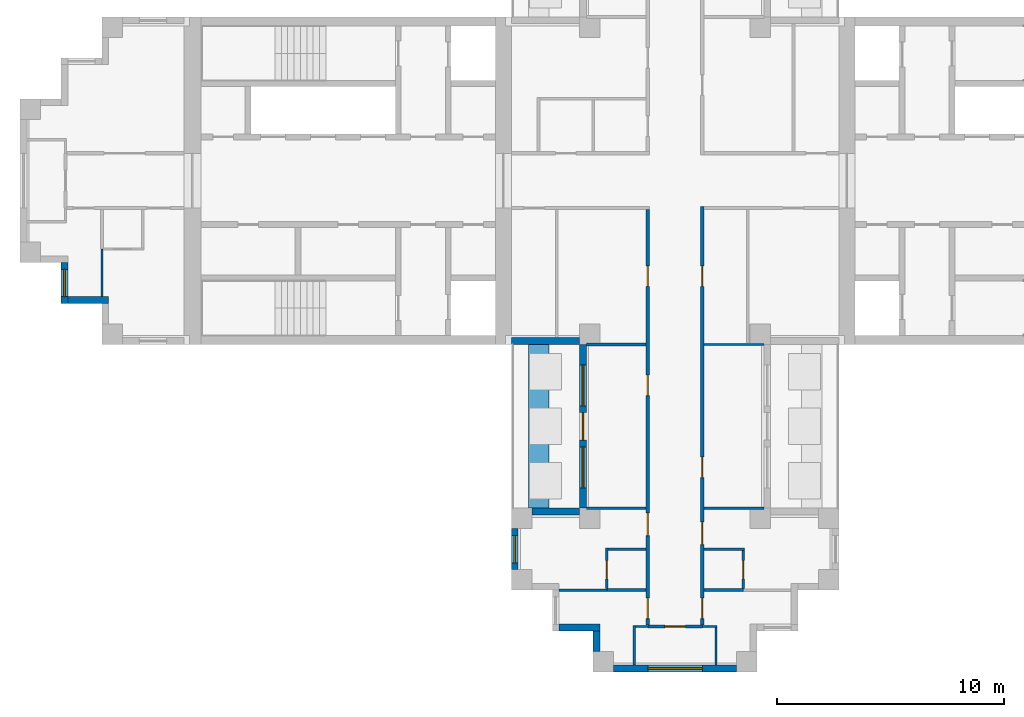
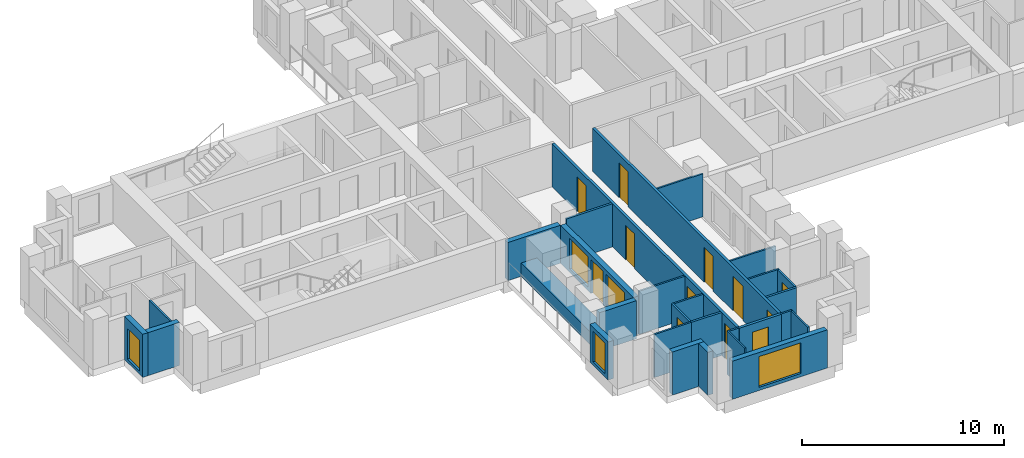
# One storey, part 2 of 10: 29 walls, 12 doors, 5 windows, 17 openings.
"""IFC4 building model written with IfcOpenShell, lengths in metres."""

from ifc_helpers import new_model, si_unit, direction, frame, frame_2d, origin, place, context, subcontext, project, spatial, rectangle, extrude, material, layer, layer_set, type_object, element, fill, save


model = new_model("IFC4")

# Units and contexts
model_context = context("Model", 3, precision=1e-05, world=origin(), true_north=direction((0.0, 1.0)))
body_context = subcontext(model_context, "Body", "Model", "MODEL_VIEW")
ifc_project = project(units=[si_unit("LENGTHUNIT", "METRE"), si_unit("AREAUNIT", "SQUARE_METRE"), si_unit("VOLUMEUNIT", "CUBIC_METRE"), si_unit("PLANEANGLEUNIT", "RADIAN"), si_unit("MASSUNIT", "GRAM", prefix="KILO")], contexts=[model_context])

# Site, building, storey
site_placement = place(None, origin())
site = spatial("IfcSite", under=ifc_project, at=site_placement, CompositionType="ELEMENT")
building_placement = place(site_placement, origin())
building = spatial("IfcBuilding", under=site, at=building_placement, Name="Fustian Cross Tower", CompositionType="ELEMENT")
storey_placement = place(building_placement, frame((0.0, 0.0, 225.89990234375)))
storey = spatial("IfcBuildingStorey", under=building, at=storey_placement, Name="L71", CompositionType="ELEMENT", Elevation=225.89990234375)

# Wall, openings, doors
ifc_material_1 = material(Name="Plasterboard on steel stud", Category="steel")
ifc_layer_1 = layer(ifc_material_1, 0.14990234375)
ifc_layer_set_1 = layer_set([ifc_layer_1], Name="Plasterboard on steel stud")
wall_type_1 = type_object("IfcWallType", Name="COMPARTMENT WALL 150 EI 60", PredefinedType="PARTITIONING", material=ifc_layer_set_1)
wall_1_placement = place(storey_placement, frame((-1.199951171875, -19.52490234375, 0.0), z_axis=(0.0, 0.0, 1.0), x_axis=(0.0, 1.0, 0.0)))
wall_1 = element("IfcWall", 1, at=wall_1_placement, inside=storey, type_object=wall_type_1, Name="Partition 35", PredefinedType="PARTITIONING", context=body_context, shape_type="SweptSolid", body=[
    extrude(rectangle(XDim=18.25, YDim=0.14990234375, at=frame_2d((9.125, 0.0))), origin(), (0.0, 0.0, 1.0), 2.60009765625),
])
opening_1_placement = place(wall_1_placement, frame((14.875, 0.0, 0.0)))
opening_1 = element("IfcOpeningElement", 2, at=opening_1_placement, cuts=wall_1, Name="Opening D32008", PredefinedType="OPENING", context=body_context, shape_type="SweptSolid", body=[
    extrude(rectangle(XDim=0.89990234375, YDim=2.10009765625, at=frame_2d((0.449951171875, 1.050048828125))), frame((0.0, 0.0849609375, 0.0), z_axis=(0.0, -1.0, 0.0), x_axis=(1.0, 0.0, 0.0)), (0.0, 0.0, 1.0), 0.169921875),
])
opening_2_placement = place(wall_1_placement, frame((10.074951171875, 0.0, 0.0)))
opening_2 = element("IfcOpeningElement", 3, at=opening_2_placement, cuts=wall_1, Name="Opening D32034", PredefinedType="OPENING", context=body_context, shape_type="SweptSolid", body=[
    extrude(rectangle(XDim=0.89990234375, YDim=2.10009765625, at=frame_2d((0.449951171875, 1.050048828125))), frame((0.0, 0.0849609375, 0.0), z_axis=(0.0, -1.0, 0.0), x_axis=(1.0, 0.0, 0.0)), (0.0, 0.0, 1.0), 0.169921875),
])
opening_3_placement = place(wall_1_placement, frame((3.925048828125, 0.0, 0.0)))
opening_3 = element("IfcOpeningElement", 4, at=opening_3_placement, cuts=wall_1, Name="Opening D32036", PredefinedType="OPENING", context=body_context, shape_type="SweptSolid", body=[
    extrude(rectangle(XDim=1.0, YDim=2.10009765625, at=frame_2d((0.5, 1.050048828125))), frame((0.0, 0.0849609375, 0.0), z_axis=(0.0, -1.0, 0.0), x_axis=(1.0, 0.0, 0.0)), (0.0, 0.0, 1.0), 0.169921875),
])
opening_4_placement = place(wall_1_placement, frame((0.27490234375, 0.0, 0.0)))
opening_4 = element("IfcOpeningElement", 5, at=opening_4_placement, cuts=wall_1, Name="Opening D32037", PredefinedType="OPENING", context=body_context, shape_type="SweptSolid", body=[
    extrude(rectangle(XDim=0.89990234375, YDim=2.10009765625, at=frame_2d((0.449951171875, 1.050048828125))), frame((0.0, 0.0849609375, 0.0), z_axis=(0.0, -1.0, 0.0), x_axis=(1.0, 0.0, 0.0)), (0.0, 0.0, 1.0), 0.169921875),
])
ifc_material_2 = material(Name="Timber fire door set", Category="wood")
door_type_1 = type_object("IfcDoorType", Name="FIRE SWING DOOR 1000 FD30S", OperationType="SINGLE_SWING_LEFT", PredefinedType="DOOR", material=ifc_material_2)
door_1_placement = place(opening_3_placement, origin())
door_1 = element("IfcDoor", 6, at=door_1_placement, inside=storey, type_object=door_type_1, Name="Door D32036", OperationType="SINGLE_SWING_RIGHT", OverallHeight=2.10009765625, OverallWidth=1.0, PredefinedType="DOOR", context=body_context, shape_type="SweptSolid", body=[
    extrude(rectangle(XDim=1.0, YDim=2.10009765625, at=frame_2d((0.5, 1.050048828125))), frame((0.0, 0.02490234375, 0.0), z_axis=(0.0, -1.0, 0.0), x_axis=(1.0, 0.0, 0.0)), (0.0, 0.0, 1.0), 0.050048828125),
])
fill(opening_3, door_1)
ifc_material_3 = material(Name="Timber fire door set", Category="wood")
door_type_2 = type_object("IfcDoorType", Name="FIRE SWING DOOR 900 FD30S", OperationType="SINGLE_SWING_LEFT", PredefinedType="DOOR", material=ifc_material_3)
door_2_placement = place(opening_1_placement, origin())
door_2 = element("IfcDoor", 7, at=door_2_placement, inside=storey, type_object=door_type_2, Name="Door D32008", OperationType="SINGLE_SWING_LEFT", OverallHeight=2.10009765625, OverallWidth=0.89990234375, PredefinedType="DOOR", context=body_context, shape_type="SweptSolid", body=[
    extrude(rectangle(XDim=0.89990234375, YDim=2.10009765625, at=frame_2d((0.449951171875, 1.050048828125))), frame((0.0, 0.02490234375, 0.0), z_axis=(0.0, -1.0, 0.0), x_axis=(1.0, 0.0, 0.0)), (0.0, 0.0, 1.0), 0.050048828125),
])
fill(opening_1, door_2)
door_3_placement = place(opening_2_placement, origin())
door_3 = element("IfcDoor", 8, at=door_3_placement, inside=storey, type_object=door_type_2, Name="Door D32034", OperationType="SINGLE_SWING_RIGHT", OverallHeight=2.10009765625, OverallWidth=0.89990234375, PredefinedType="DOOR", context=body_context, shape_type="SweptSolid", body=[
    extrude(rectangle(XDim=0.89990234375, YDim=2.10009765625, at=frame_2d((0.449951171875, 1.050048828125))), frame((0.0, 0.02490234375, 0.0), z_axis=(0.0, -1.0, 0.0), x_axis=(1.0, 0.0, 0.0)), (0.0, 0.0, 1.0), 0.050048828125),
])
fill(opening_2, door_3)
door_4_placement = place(opening_4_placement, origin())
door_4 = element("IfcDoor", 9, at=door_4_placement, inside=storey, type_object=door_type_2, Name="Door D32037", OperationType="SINGLE_SWING_LEFT", OverallHeight=2.10009765625, OverallWidth=0.89990234375, PredefinedType="DOOR", context=body_context, shape_type="SweptSolid", body=[
    extrude(rectangle(XDim=0.89990234375, YDim=2.10009765625, at=frame_2d((0.449951171875, 1.050048828125))), frame((0.0, 0.02490234375, 0.0), z_axis=(0.0, -1.0, 0.0), x_axis=(1.0, 0.0, 0.0)), (0.0, 0.0, 1.0), 0.050048828125),
])
fill(opening_4, door_4)

# Wall, opening, door
wall_2_placement = place(storey_placement, frame((-1.199951171875, -19.60009765625, 0.0), z_axis=(0.0, 0.0, 1.0), x_axis=(1.0, 0.0, 0.0)))
wall_2 = element("IfcWall", 10, at=wall_2_placement, inside=storey, type_object=wall_type_1, Name="Partition 36", PredefinedType="PARTITIONING", context=body_context, shape_type="SweptSolid", body=[
    extrude(rectangle(XDim=2.39990234375, YDim=0.14990234375, at=frame_2d((1.199951171875, 0.0))), origin(), (0.0, 0.0, 1.0), 2.60009765625),
])
opening_5_placement = place(wall_2_placement, frame((0.75, 0.0, 0.0)))
opening_5 = element("IfcOpeningElement", 11, at=opening_5_placement, cuts=wall_2, Name="Opening D32029", PredefinedType="OPENING", context=body_context, shape_type="SweptSolid", body=[
    extrude(rectangle(XDim=0.89990234375, YDim=2.10009765625, at=frame_2d((0.449951171875, 1.050048828125))), frame((0.0, 0.0849609375, 0.0), z_axis=(0.0, -1.0, 0.0), x_axis=(1.0, 0.0, 0.0)), (0.0, 0.0, 1.0), 0.169921875),
])
door_5_placement = place(opening_5_placement, frame((0.89990234375, 0.0, 0.0), z_axis=(0.0, 0.0, 1.0), x_axis=(-1.0, 0.0, 0.0)))
door_5 = element("IfcDoor", 12, at=door_5_placement, inside=storey, type_object=door_type_2, Name="Door D32029", OperationType="SINGLE_SWING_RIGHT", OverallHeight=2.10009765625, OverallWidth=0.89990234375, PredefinedType="DOOR", context=body_context, shape_type="SweptSolid", body=[
    extrude(rectangle(XDim=0.89990234375, YDim=2.10009765625, at=frame_2d((0.449951171875, 1.050048828125))), frame((0.0, 0.02490234375, 0.0), z_axis=(0.0, -1.0, 0.0), x_axis=(1.0, 0.0, 0.0)), (0.0, 0.0, 1.0), 0.050048828125),
])
fill(opening_5, door_5)

# Wall, openings, doors
wall_3_placement = place(storey_placement, frame((1.199951171875, -19.52490234375, 0.0), z_axis=(0.0, 0.0, 1.0), x_axis=(0.0, 1.0, 0.0)))
wall_3 = element("IfcWall", 13, at=wall_3_placement, inside=storey, type_object=wall_type_1, Name="Partition 39", PredefinedType="PARTITIONING", context=body_context, shape_type="SweptSolid", body=[
    extrude(rectangle(XDim=18.39990234375, YDim=0.14990234375, at=frame_2d((9.199951171875, 0.0))), origin(), (0.0, 0.0, 1.0), 2.60009765625),
])
opening_6_placement = place(wall_3_placement, frame((14.875, 0.0, 0.0)))
opening_6 = element("IfcOpeningElement", 14, at=opening_6_placement, cuts=wall_3, Name="Opening D32006", PredefinedType="OPENING", context=body_context, shape_type="SweptSolid", body=[
    extrude(rectangle(XDim=0.89990234375, YDim=2.10009765625, at=frame_2d((0.449951171875, 1.050048828125))), frame((0.0, 0.0849609375, 0.0), z_axis=(0.0, -1.0, 0.0), x_axis=(1.0, 0.0, 0.0)), (0.0, 0.0, 1.0), 0.169921875),
])
opening_7_placement = place(wall_3_placement, frame((6.47509765625, 0.0, 0.0)))
opening_7 = element("IfcOpeningElement", 15, at=opening_7_placement, cuts=wall_3, Name="Opening D32030", PredefinedType="OPENING", context=body_context, shape_type="SweptSolid", body=[
    extrude(rectangle(XDim=0.89990234375, YDim=2.10009765625, at=frame_2d((0.449951171875, 1.050048828125))), frame((0.0, 0.0849609375, 0.0), z_axis=(0.0, -1.0, 0.0), x_axis=(1.0, 0.0, 0.0)), (0.0, 0.0, 1.0), 0.169921875),
])
opening_8_placement = place(wall_3_placement, frame((3.52490234375, 0.0, 0.0)))
opening_8 = element("IfcOpeningElement", 16, at=opening_8_placement, cuts=wall_3, Name="Opening D32032", PredefinedType="OPENING", context=body_context, shape_type="SweptSolid", body=[
    extrude(rectangle(XDim=1.0, YDim=2.10009765625, at=frame_2d((0.5, 1.050048828125))), frame((0.0, 0.0849609375, 0.0), z_axis=(0.0, -1.0, 0.0), x_axis=(1.0, 0.0, 0.0)), (0.0, 0.0, 1.0), 0.169921875),
])
opening_9_placement = place(wall_3_placement, frame((0.27490234375, 0.0, 0.0)))
opening_9 = element("IfcOpeningElement", 17, at=opening_9_placement, cuts=wall_3, Name="Opening D32033", PredefinedType="OPENING", context=body_context, shape_type="SweptSolid", body=[
    extrude(rectangle(XDim=0.89990234375, YDim=2.10009765625, at=frame_2d((0.449951171875, 1.050048828125))), frame((0.0, 0.0849609375, 0.0), z_axis=(0.0, -1.0, 0.0), x_axis=(1.0, 0.0, 0.0)), (0.0, 0.0, 1.0), 0.169921875),
])
door_6_placement = place(opening_8_placement, frame((1.0, 0.0, 0.0), z_axis=(0.0, 0.0, 1.0), x_axis=(-1.0, 0.0, 0.0)))
door_6 = element("IfcDoor", 18, at=door_6_placement, inside=storey, type_object=door_type_1, Name="Door D32032", OperationType="SINGLE_SWING_RIGHT", OverallHeight=2.10009765625, OverallWidth=1.0, PredefinedType="DOOR", context=body_context, shape_type="SweptSolid", body=[
    extrude(rectangle(XDim=1.0, YDim=2.10009765625, at=frame_2d((0.5, 1.050048828125))), frame((0.0, 0.02490234375, 0.0), z_axis=(0.0, -1.0, 0.0), x_axis=(1.0, 0.0, 0.0)), (0.0, 0.0, 1.0), 0.050048828125),
])
fill(opening_8, door_6)
door_7_placement = place(opening_6_placement, frame((0.89990234375, 0.0, 0.0), z_axis=(0.0, 0.0, 1.0), x_axis=(-1.0, 0.0, 0.0)))
door_7 = element("IfcDoor", 19, at=door_7_placement, inside=storey, type_object=door_type_2, Name="Door D32006", OperationType="SINGLE_SWING_RIGHT", OverallHeight=2.10009765625, OverallWidth=0.89990234375, PredefinedType="DOOR", context=body_context, shape_type="SweptSolid", body=[
    extrude(rectangle(XDim=0.89990234375, YDim=2.10009765625, at=frame_2d((0.449951171875, 1.050048828125))), frame((0.0, 0.02490234375, 0.0), z_axis=(0.0, -1.0, 0.0), x_axis=(1.0, 0.0, 0.0)), (0.0, 0.0, 1.0), 0.050048828125),
])
fill(opening_6, door_7)
door_8_placement = place(opening_7_placement, frame((0.89990234375, 0.0, 0.0), z_axis=(0.0, 0.0, 1.0), x_axis=(-1.0, 0.0, 0.0)))
door_8 = element("IfcDoor", 20, at=door_8_placement, inside=storey, type_object=door_type_2, Name="Door D32030", OperationType="SINGLE_SWING_RIGHT", OverallHeight=2.10009765625, OverallWidth=0.89990234375, PredefinedType="DOOR", context=body_context, shape_type="SweptSolid", body=[
    extrude(rectangle(XDim=0.89990234375, YDim=2.10009765625, at=frame_2d((0.449951171875, 1.050048828125))), frame((0.0, 0.02490234375, 0.0), z_axis=(0.0, -1.0, 0.0), x_axis=(1.0, 0.0, 0.0)), (0.0, 0.0, 1.0), 0.050048828125),
])
fill(opening_7, door_8)
door_9_placement = place(opening_9_placement, frame((0.89990234375, 0.0, 0.0), z_axis=(0.0, 0.0, 1.0), x_axis=(-1.0, 0.0, 0.0)))
door_9 = element("IfcDoor", 21, at=door_9_placement, inside=storey, type_object=door_type_2, Name="Door D32033", OperationType="SINGLE_SWING_RIGHT", OverallHeight=2.10009765625, OverallWidth=0.89990234375, PredefinedType="DOOR", context=body_context, shape_type="SweptSolid", body=[
    extrude(rectangle(XDim=0.89990234375, YDim=2.10009765625, at=frame_2d((0.449951171875, 1.050048828125))), frame((0.0, 0.02490234375, 0.0), z_axis=(0.0, -1.0, 0.0), x_axis=(1.0, 0.0, 0.0)), (0.0, 0.0, 1.0), 0.050048828125),
])
fill(opening_9, door_9)

# Walls
ifc_material_4 = material(Name="Plasterboard on steel stud", Category="steel")
ifc_layer_2 = layer(ifc_material_4, 0.10009765625)
ifc_layer_set_2 = layer_set([ifc_layer_2], Name="Plasterboard on steel stud")
wall_type_2 = type_object("IfcWallType", Name="PARTITION 100 STUD", PredefinedType="PARTITIONING", material=ifc_layer_set_2)
for number, where, z_axis, x_axis, name in (
    (22, (-25.199951171875, -5.10009765625, 0.0), (0.0, 0.0, 1.0), (0.0, 1.0, 0.0), "Partition 8"),
    (23, (-5.10009765625, -18.0, 0.0), (0.0, 0.0, 1.0), (1.0, 0.0, 0.0), "Partition 17"),
):
    element("IfcWall", number, at=place(storey_placement, frame(where, z_axis=z_axis, x_axis=x_axis)), inside=storey, type_object=wall_type_2, Name=name, PredefinedType="PARTITIONING", context=body_context, shape_type="SweptSolid", body=[
        extrude(rectangle(XDim=2.10009765625, YDim=0.10009765625, at=frame_2d((1.050048828125, 0.0))), origin(), (0.0, 0.0, 1.0), 2.60009765625),
    ])
wall_4_placement = place(storey_placement, frame((-3.89990234375, -14.39990234375, 0.0), z_axis=(0.0, 0.0, 1.0), x_axis=(1.0, 0.0, 0.0)))
element("IfcWall", 24, at=wall_4_placement, inside=storey, type_object=wall_type_2, Name="Partition 19", PredefinedType="PARTITIONING", context=body_context, shape_type="SweptSolid", body=[
    extrude(rectangle(XDim=2.625, YDim=0.10009765625, at=frame_2d((1.3125, 0.0))), origin(), (0.0, 0.0, 1.0), 2.60009765625),
])

# Wall, opening, door
wall_5_placement = place(storey_placement, frame((-3.0, -17.9375, 0.0), z_axis=(0.0, 0.0, 1.0), x_axis=(0.0, 1.0, 0.0)))
wall_5 = element("IfcWall", 25, at=wall_5_placement, inside=storey, type_object=wall_type_2, Name="Partition 25", PredefinedType="PARTITIONING", context=body_context, shape_type="SweptSolid", body=[
    extrude(rectangle(XDim=1.78759765625, YDim=0.10009765625, at=frame_2d((0.893798828125, 0.0))), origin(), (0.0, 0.0, 1.0), 2.60009765625),
])
opening_10_placement = place(wall_5_placement, frame((0.4375, 0.0, 0.0)))
opening_10 = element("IfcOpeningElement", 26, at=opening_10_placement, cuts=wall_5, Name="Opening D32035", PredefinedType="OPENING", context=body_context, shape_type="SweptSolid", body=[
    extrude(rectangle(XDim=0.800048828125, YDim=2.10009765625, at=frame_2d((0.39990234375, 1.050048828125))), frame((0.0, 0.06005859375, 0.0), z_axis=(0.0, -1.0, 0.0), x_axis=(1.0, 0.0, 0.0)), (0.0, 0.0, 1.0), 0.1201171875),
])
ifc_material_5 = material(Name="Painted timber", Category="wood")
door_type_3 = type_object("IfcDoorType", Name="SWING DOOR 800", OperationType="SINGLE_SWING_LEFT", PredefinedType="DOOR", material=ifc_material_5)
door_10_placement = place(opening_10_placement, frame((0.800048828125, 0.0, 0.0), z_axis=(0.0, 0.0, 1.0), x_axis=(-1.0, 0.0, 0.0)))
door_10 = element("IfcDoor", 27, at=door_10_placement, inside=storey, type_object=door_type_3, Name="Door D32035", OperationType="SINGLE_SWING_LEFT", OverallHeight=2.10009765625, OverallWidth=0.800048828125, PredefinedType="DOOR", context=body_context, shape_type="SweptSolid", body=[
    extrude(rectangle(XDim=0.800048828125, YDim=2.10009765625, at=frame_2d((0.39990234375, 1.050048828125))), frame((0.0, 0.02490234375, 0.0), z_axis=(0.0, -1.0, 0.0), x_axis=(1.0, 0.0, 0.0)), (0.0, 0.0, 1.0), 0.050048828125),
])
fill(opening_10, door_10)

# Walls
wall_6_placement = place(storey_placement, frame((-2.949951171875, -16.199951171875, 0.0), z_axis=(0.0, 0.0, 1.0), x_axis=(1.0, 0.0, 0.0)))
element("IfcWall", 28, at=wall_6_placement, inside=storey, type_object=wall_type_2, Name="Partition 27", PredefinedType="PARTITIONING", context=body_context, shape_type="SweptSolid", body=[
    extrude(rectangle(XDim=1.675048828125, YDim=0.10009765625, at=frame_2d((0.83740234375, 0.0))), origin(), (0.0, 0.0, 1.0), 2.60009765625),
])
wall_7_placement = place(storey_placement, frame((-1.800048828125, -21.300048828125, 0.0), z_axis=(0.0, 0.0, 1.0), x_axis=(0.0, 1.0, 0.0)))
element("IfcWall", 29, at=wall_7_placement, inside=storey, type_object=wall_type_2, Name="Partition 31", PredefinedType="PARTITIONING", context=body_context, shape_type="SweptSolid", body=[
    extrude(rectangle(XDim=1.75, YDim=0.10009765625, at=frame_2d((0.875, 0.0))), origin(), (0.0, 0.0, 1.0), 2.60009765625),
])
wall_8_placement = place(storey_placement, frame((-1.75, -19.60009765625, 0.0), z_axis=(0.0, 0.0, 1.0), x_axis=(1.0, 0.0, 0.0)))
element("IfcWall", 30, at=wall_8_placement, inside=storey, type_object=wall_type_2, Name="Partition 32", PredefinedType="PARTITIONING", context=body_context, shape_type="SweptSolid", body=[
    extrude(rectangle(XDim=0.550048828125, YDim=0.10009765625, at=frame_2d((0.27490234375, 0.0))), origin(), (0.0, 0.0, 1.0), 2.60009765625),
])
wall_9_placement = place(storey_placement, frame((1.199951171875, -19.60009765625, 0.0), z_axis=(0.0, 0.0, 1.0), x_axis=(1.0, 0.0, 0.0)))
element("IfcWall", 31, at=wall_9_placement, inside=storey, type_object=wall_type_2, Name="Partition 40", PredefinedType="PARTITIONING", context=body_context, shape_type="SweptSolid", body=[
    extrude(rectangle(XDim=0.650146484375, YDim=0.10009765625, at=frame_2d((0.3251953125, 0.0))), origin(), (0.0, 0.0, 1.0), 2.60009765625),
])
wall_10_placement = place(storey_placement, frame((1.27490234375, -16.199951171875, 0.0), z_axis=(0.0, 0.0, 1.0), x_axis=(1.0, 0.0, 0.0)))
element("IfcWall", 32, at=wall_10_placement, inside=storey, type_object=wall_type_2, Name="Partition 42", PredefinedType="PARTITIONING", context=body_context, shape_type="SweptSolid", body=[
    extrude(rectangle(XDim=1.775146484375, YDim=0.10009765625, at=frame_2d((0.8876953125, 0.0))), origin(), (0.0, 0.0, 1.0), 2.60009765625),
])
for number, where, z_axis, x_axis, name in (
    (33, (1.27490234375, -14.39990234375, 0.0), (0.0, 0.0, 1.0), (1.0, 0.0, 0.0), "Partition 43"),
    (34, (1.27490234375, -7.199951171875, 0.0), (0.0, 0.0, 1.0), (1.0, 0.0, 0.0), "Partition 44"),
):
    element("IfcWall", number, at=place(storey_placement, frame(where, z_axis=z_axis, x_axis=x_axis)), inside=storey, type_object=wall_type_2, Name=name, PredefinedType="PARTITIONING", context=body_context, shape_type="SweptSolid", body=[
        extrude(rectangle(XDim=2.625, YDim=0.10009765625, at=frame_2d((1.3125, 0.0))), origin(), (0.0, 0.0, 1.0), 2.60009765625),
    ])
wall_11_placement = place(storey_placement, frame((1.800048828125, -21.300048828125, 0.0), z_axis=(0.0, 0.0, 1.0), x_axis=(0.0, 1.0, 0.0)))
element("IfcWall", 35, at=wall_11_placement, inside=storey, type_object=wall_type_2, Name="Partition 53", PredefinedType="PARTITIONING", context=body_context, shape_type="SweptSolid", body=[
    extrude(rectangle(XDim=1.650146484375, YDim=0.10009765625, at=frame_2d((0.8251953125, 0.0))), origin(), (0.0, 0.0, 1.0), 2.60009765625),
])

# Wall, opening, door
wall_12_placement = place(storey_placement, frame((3.0, -17.9375, 0.0), z_axis=(0.0, 0.0, 1.0), x_axis=(0.0, 1.0, 0.0)))
wall_12 = element("IfcWall", 36, at=wall_12_placement, inside=storey, type_object=wall_type_2, Name="Partition 55", PredefinedType="PARTITIONING", context=body_context, shape_type="SweptSolid", body=[
    extrude(rectangle(XDim=1.6875, YDim=0.10009765625, at=frame_2d((0.84375, 0.0))), origin(), (0.0, 0.0, 1.0), 2.60009765625),
])
opening_11_placement = place(wall_12_placement, frame((0.4375, 0.0, 0.0)))
opening_11 = element("IfcOpeningElement", 37, at=opening_11_placement, cuts=wall_12, Name="Opening D32031", PredefinedType="OPENING", context=body_context, shape_type="SweptSolid", body=[
    extrude(rectangle(XDim=0.800048828125, YDim=2.10009765625, at=frame_2d((0.39990234375, 1.050048828125))), frame((0.0, 0.06005859375, 0.0), z_axis=(0.0, -1.0, 0.0), x_axis=(1.0, 0.0, 0.0)), (0.0, 0.0, 1.0), 0.1201171875),
])
door_11_placement = place(opening_11_placement, origin())
door_11 = element("IfcDoor", 38, at=door_11_placement, inside=storey, type_object=door_type_3, Name="Door D32031", OperationType="SINGLE_SWING_RIGHT", OverallHeight=2.10009765625, OverallWidth=0.800048828125, PredefinedType="DOOR", context=body_context, shape_type="SweptSolid", body=[
    extrude(rectangle(XDim=0.800048828125, YDim=2.10009765625, at=frame_2d((0.39990234375, 1.050048828125))), frame((0.0, 0.02490234375, 0.0), z_axis=(0.0, -1.0, 0.0), x_axis=(1.0, 0.0, 0.0)), (0.0, 0.0, 1.0), 0.050048828125),
])
fill(opening_11, door_11)

# Walls
ifc_material_6 = material(Name="Concrete C40/50", Category="concrete")
ifc_layer_3 = layer(ifc_material_6, 0.89990234375)
ifc_layer_set_3 = layer_set([ifc_layer_3], Name="Concrete C40/50")
wall_type_3 = type_object("IfcWallType", Name="PK1 PLANTER 900", PredefinedType="PARAPET", material=ifc_layer_set_3)
wall_13_placement = place(storey_placement, frame((-6.0, -14.39990234375, 0.0), z_axis=(0.0, 0.0, 1.0), x_axis=(0.0, 1.0, 0.0)))
element("IfcWall", 39, at=wall_13_placement, inside=storey, type_object=wall_type_3, Name="PLANTER", PredefinedType="PARAPET", context=body_context, shape_type="SweptSolid", body=[
    extrude(rectangle(XDim=7.199951171875, YDim=0.89990234375, at=frame_2d((3.60009765625, 0.0))), origin(), (0.0, 0.0, 1.0), 0.800048828125),
])
ifc_material_7 = material(Name="Plasterboard on steel stud", Category="steel")
ifc_layer_4 = layer(ifc_material_7, 0.125)
ifc_layer_set_4 = layer_set([ifc_layer_4], Name="Plasterboard on steel stud")
wall_type_4 = type_object("IfcWallType", Name="WET WALL 125 STUD", PredefinedType="PARTITIONING", material=ifc_layer_set_4)
wall_14_placement = place(storey_placement, frame((-3.89990234375, -7.199951171875, 0.0), z_axis=(0.0, 0.0, 1.0), x_axis=(1.0, 0.0, 0.0)))
element("IfcWall", 40, at=wall_14_placement, inside=storey, type_object=wall_type_4, Name="Partition 20", PredefinedType="PARTITIONING", context=body_context, shape_type="SweptSolid", body=[
    extrude(rectangle(XDim=2.625, YDim=0.125, at=frame_2d((1.3125, 0.0))), origin(), (0.0, 0.0, 1.0), 2.60009765625),
])
for number, where, z_axis, x_axis, name in (
    (41, (-3.0, -18.0, 0.0), (0.0, 0.0, 1.0), (1.0, 0.0, 0.0), "Partition 26"),
    (42, (1.27490234375, -18.0, 0.0), (0.0, 0.0, 1.0), (1.0, 0.0, 0.0), "Partition 41"),
):
    element("IfcWall", number, at=place(storey_placement, frame(where, z_axis=z_axis, x_axis=x_axis)), inside=storey, type_object=wall_type_4, Name=name, PredefinedType="PARTITIONING", context=body_context, shape_type="SweptSolid", body=[
        extrude(rectangle(XDim=1.72509765625, YDim=0.125, at=frame_2d((0.862548828125, 0.0))), origin(), (0.0, 0.0, 1.0), 2.60009765625),
    ])

# Wall, opening, window
ifc_material_8 = material(Name="Dark aluminium cladding on insulated backing wall", Category="aluminium")
ifc_layer_5 = layer(ifc_material_8, 0.300048828125)
ifc_layer_set_5 = layer_set([ifc_layer_5], Name="Dark aluminium cladding on insulated backing wall")
wall_type_5 = type_object("IfcWallType", Name="XW1 EXTERNAL WALL 300", PredefinedType="SOLIDWALL", material=ifc_layer_set_5)
wall_15_placement = place(storey_placement, frame((-26.85009765625, -3.60009765625, 0.0), z_axis=(0.0, 0.0, 1.0), x_axis=(0.0, -1.0, 0.0)))
wall_15 = element("IfcWall", 43, at=wall_15_placement, inside=storey, type_object=wall_type_5, Name="External wall", PredefinedType="SOLIDWALL", context=body_context, shape_type="SweptSolid", body=[
    extrude(rectangle(XDim=1.7998046875, YDim=0.300048828125, at=frame_2d((0.89990234375, 0.0))), origin(), (0.0, 0.0, 1.0), 2.60009765625),
])
opening_12_placement = place(wall_15_placement, frame((0.300048828125, 0.0, 0.199951171875)))
opening_12 = element("IfcOpeningElement", 44, at=opening_12_placement, cuts=wall_15, Name="Opening WN3", PredefinedType="OPENING", context=body_context, shape_type="SweptSolid", body=[
    extrude(rectangle(XDim=1.199951171875, YDim=1.85009765625, at=frame_2d((0.60009765625, 0.925048828125))), frame((0.0, 0.159912109375, 0.0), z_axis=(0.0, -1.0, 0.0), x_axis=(1.0, 0.0, 0.0)), (0.0, 0.0, 1.0), 0.320068359375),
])
ifc_material_9 = material(Name="Dark anodised aluminium and double glazing", Category="aluminium")
window_type_1 = type_object("IfcWindowType", Name="WN3 WINDOW 1200X1850", PartitioningType="SINGLE_PANEL", PredefinedType="WINDOW", material=ifc_material_9)
window_1_placement = place(opening_12_placement, origin())
window_1 = element("IfcWindow", 45, at=window_1_placement, inside=storey, type_object=window_type_1, Name="Window", OverallHeight=1.85009765625, OverallWidth=1.199951171875, PartitioningType="SINGLE_PANEL", PredefinedType="WINDOW", context=body_context, shape_type="SweptSolid", body=[
    extrude(rectangle(XDim=1.199951171875, YDim=1.85009765625, at=frame_2d((0.60009765625, 0.925048828125))), frame((0.0, 0.030029296875, 0.0), z_axis=(0.0, -1.0, 0.0), x_axis=(1.0, 0.0, 0.0)), (0.0, 0.0, 1.0), 0.06005859375),
])
fill(opening_12, window_1)

# Walls
wall_16_placement = place(storey_placement, frame((-26.699951171875, -5.25, 0.0), z_axis=(0.0, 0.0, 1.0), x_axis=(1.0, 0.0, 0.0)))
element("IfcWall", 46, at=wall_16_placement, inside=storey, type_object=wall_type_5, Name="External wall", PredefinedType="SOLIDWALL", context=body_context, shape_type="SweptSolid", body=[
    extrude(rectangle(XDim=1.800048828125, YDim=0.300048828125, at=frame_2d((0.89990234375, 0.0))), origin(), (0.0, 0.0, 1.0), 2.60009765625),
])
wall_17_placement = place(storey_placement, frame((-7.199951171875, -7.050048828125, 0.0), z_axis=(0.0, 0.0, 1.0), x_axis=(1.0, 0.0, 0.0)))
element("IfcWall", 47, at=wall_17_placement, inside=storey, type_object=wall_type_5, Name="External wall", PredefinedType="SOLIDWALL", context=body_context, shape_type="SweptSolid", body=[
    extrude(rectangle(XDim=3.0, YDim=0.300048828125, at=frame_2d((1.5, 0.0))), origin(), (0.0, 0.0, 1.0), 2.300048828125),
])

# Wall, openings, door, windows
wall_18_placement = place(storey_placement, frame((-4.050048828125, -7.199951171875, 0.0), z_axis=(0.0, 0.0, 1.0), x_axis=(0.0, -1.0, 0.0)))
wall_18 = element("IfcWall", 48, at=wall_18_placement, inside=storey, type_object=wall_type_5, Name="External wall", PredefinedType="SOLIDWALL", context=body_context, shape_type="SweptSolid", body=[
    extrude(rectangle(XDim=7.199951171875, YDim=0.300048828125, at=frame_2d((3.60009765625, 0.0))), origin(), (0.0, 0.0, 1.0), 2.300048828125),
])
opening_13_placement = place(wall_18_placement, frame((3.0, 0.0, 0.0)))
opening_13 = element("IfcOpeningElement", 49, at=opening_13_placement, cuts=wall_18, Name="Opening XD4", PredefinedType="OPENING", context=body_context, shape_type="SweptSolid", body=[
    extrude(rectangle(XDim=1.199951171875, YDim=2.050048828125, at=frame_2d((0.60009765625, 1.02490234375))), frame((0.0, 0.159912109375, 0.0), z_axis=(0.0, -1.0, 0.0), x_axis=(1.0, 0.0, 0.0)), (0.0, 0.0, 1.0), 0.320068359375),
])
opening_14_placement = place(wall_18_placement, frame((0.89990234375, 0.0, 0.199951171875)))
opening_14 = element("IfcOpeningElement", 50, at=opening_14_placement, cuts=wall_18, Name="Opening WN2", PredefinedType="OPENING", context=body_context, shape_type="SweptSolid", body=[
    extrude(rectangle(XDim=1.800048828125, YDim=1.85009765625, at=frame_2d((0.89990234375, 0.925048828125))), frame((0.0, 0.159912109375, 0.0), z_axis=(0.0, -1.0, 0.0), x_axis=(1.0, 0.0, 0.0)), (0.0, 0.0, 1.0), 0.320068359375),
])
opening_15_placement = place(wall_18_placement, frame((4.5, 0.0, 0.199951171875)))
opening_15 = element("IfcOpeningElement", 51, at=opening_15_placement, cuts=wall_18, Name="Opening WN2", PredefinedType="OPENING", context=body_context, shape_type="SweptSolid", body=[
    extrude(rectangle(XDim=1.800048828125, YDim=1.85009765625, at=frame_2d((0.89990234375, 0.925048828125))), frame((0.0, 0.159912109375, 0.0), z_axis=(0.0, -1.0, 0.0), x_axis=(1.0, 0.0, 0.0)), (0.0, 0.0, 1.0), 0.320068359375),
])
ifc_material_10 = material(Name="Dark anodised aluminium and double glazing", Category="aluminium")
door_type_4 = type_object("IfcDoorType", Name="ED1 BALCONY DOOR 1200X2050", OperationType="SINGLE_SWING_LEFT", PredefinedType="DOOR", material=ifc_material_10)
door_12_placement = place(opening_13_placement, origin())
door_12 = element("IfcDoor", 52, at=door_12_placement, inside=storey, type_object=door_type_4, Name="Balcony door", OperationType="SINGLE_SWING_LEFT", OverallHeight=2.050048828125, OverallWidth=1.199951171875, PredefinedType="DOOR", context=body_context, shape_type="SweptSolid", body=[
    extrude(rectangle(XDim=1.199951171875, YDim=2.050048828125, at=frame_2d((0.60009765625, 1.02490234375))), frame((0.0, 0.02490234375, 0.0), z_axis=(0.0, -1.0, 0.0), x_axis=(1.0, 0.0, 0.0)), (0.0, 0.0, 1.0), 0.050048828125),
])
fill(opening_13, door_12)
ifc_material_11 = material(Name="Dark anodised aluminium and double glazing", Category="aluminium")
window_type_2 = type_object("IfcWindowType", Name="WN2 WINDOW 1800X1850", PartitioningType="SINGLE_PANEL", PredefinedType="WINDOW", material=ifc_material_11)
window_2_placement = place(opening_14_placement, origin())
window_2 = element("IfcWindow", 53, at=window_2_placement, inside=storey, type_object=window_type_2, Name="Window", OverallHeight=1.85009765625, OverallWidth=1.800048828125, PartitioningType="SINGLE_PANEL", PredefinedType="WINDOW", context=body_context, shape_type="SweptSolid", body=[
    extrude(rectangle(XDim=1.800048828125, YDim=1.85009765625, at=frame_2d((0.89990234375, 0.925048828125))), frame((0.0, 0.030029296875, 0.0), z_axis=(0.0, -1.0, 0.0), x_axis=(1.0, 0.0, 0.0)), (0.0, 0.0, 1.0), 0.06005859375),
])
fill(opening_14, window_2)
window_3_placement = place(opening_15_placement, origin())
window_3 = element("IfcWindow", 54, at=window_3_placement, inside=storey, type_object=window_type_2, Name="Window", OverallHeight=1.85009765625, OverallWidth=1.800048828125, PartitioningType="SINGLE_PANEL", PredefinedType="WINDOW", context=body_context, shape_type="SweptSolid", body=[
    extrude(rectangle(XDim=1.800048828125, YDim=1.85009765625, at=frame_2d((0.89990234375, 0.925048828125))), frame((0.0, 0.030029296875, 0.0), z_axis=(0.0, -1.0, 0.0), x_axis=(1.0, 0.0, 0.0)), (0.0, 0.0, 1.0), 0.06005859375),
])
fill(opening_15, window_3)

# Wall
wall_19_placement = place(storey_placement, frame((-4.199951171875, -14.550048828125, 0.0), z_axis=(0.0, 0.0, 1.0), x_axis=(-1.0, 0.0, 0.0)))
element("IfcWall", 55, at=wall_19_placement, inside=storey, type_object=wall_type_5, Name="External wall", PredefinedType="SOLIDWALL", context=body_context, shape_type="SweptSolid", body=[
    extrude(rectangle(XDim=2.10009765625, YDim=0.300048828125, at=frame_2d((1.050048828125, 0.0))), origin(), (0.0, 0.0, 1.0), 2.300048828125),
])

# Wall, opening, window
wall_20_placement = place(storey_placement, frame((-7.050048828125, -15.300048828125, 0.0), z_axis=(0.0, 0.0, 1.0), x_axis=(0.0, -1.0, 0.0)))
wall_20 = element("IfcWall", 56, at=wall_20_placement, inside=storey, type_object=wall_type_5, Name="External wall", PredefinedType="SOLIDWALL", context=body_context, shape_type="SweptSolid", body=[
    extrude(rectangle(XDim=1.800048828125, YDim=0.300048828125, at=frame_2d((0.89990234375, 0.0))), origin(), (0.0, 0.0, 1.0), 2.300048828125),
])
opening_16_placement = place(wall_20_placement, frame((0.300048828125, 0.0, 0.199951171875)))
opening_16 = element("IfcOpeningElement", 57, at=opening_16_placement, cuts=wall_20, Name="Opening WN3", PredefinedType="OPENING", context=body_context, shape_type="SweptSolid", body=[
    extrude(rectangle(XDim=1.199951171875, YDim=1.85009765625, at=frame_2d((0.60009765625, 0.925048828125))), frame((0.0, 0.159912109375, 0.0), z_axis=(0.0, -1.0, 0.0), x_axis=(1.0, 0.0, 0.0)), (0.0, 0.0, 1.0), 0.320068359375),
])
window_4_placement = place(opening_16_placement, origin())
window_4 = element("IfcWindow", 58, at=window_4_placement, inside=storey, type_object=window_type_1, Name="Window", OverallHeight=1.85009765625, OverallWidth=1.199951171875, PartitioningType="SINGLE_PANEL", PredefinedType="WINDOW", context=body_context, shape_type="SweptSolid", body=[
    extrude(rectangle(XDim=1.199951171875, YDim=1.85009765625, at=frame_2d((0.60009765625, 0.925048828125))), frame((0.0, 0.030029296875, 0.0), z_axis=(0.0, -1.0, 0.0), x_axis=(1.0, 0.0, 0.0)), (0.0, 0.0, 1.0), 0.06005859375),
])
fill(opening_16, window_4)

# Walls
wall_21_placement = place(storey_placement, frame((-5.10009765625, -19.64990234375, 0.0), z_axis=(0.0, 0.0, 1.0), x_axis=(1.0, 0.0, 0.0)))
element("IfcWall", 59, at=wall_21_placement, inside=storey, type_object=wall_type_5, Name="External wall", PredefinedType="SOLIDWALL", context=body_context, shape_type="SweptSolid", body=[
    extrude(rectangle(XDim=1.800048828125, YDim=0.300048828125, at=frame_2d((0.89990234375, 0.0))), origin(), (0.0, 0.0, 1.0), 2.60009765625),
])
wall_22_placement = place(storey_placement, frame((-3.449951171875, -19.800048828125, 0.0), z_axis=(0.0, 0.0, 1.0), x_axis=(0.0, -1.0, 0.0)))
element("IfcWall", 60, at=wall_22_placement, inside=storey, type_object=wall_type_5, Name="External wall", PredefinedType="SOLIDWALL", context=body_context, shape_type="SweptSolid", body=[
    extrude(rectangle(XDim=0.89990234375, YDim=0.300048828125, at=frame_2d((0.449951171875, 0.0))), origin(), (0.0, 0.0, 1.0), 2.60009765625),
])

# Wall, opening, window
wall_23_placement = place(storey_placement, frame((-2.699951171875, -21.449951171875, 0.0), z_axis=(0.0, 0.0, 1.0), x_axis=(1.0, 0.0, 0.0)))
wall_23 = element("IfcWall", 61, at=wall_23_placement, inside=storey, type_object=wall_type_5, Name="External wall", PredefinedType="SOLIDWALL", context=body_context, shape_type="SweptSolid", body=[
    extrude(rectangle(XDim=5.39990234375, YDim=0.300048828125, at=frame_2d((2.699951171875, 0.0))), origin(), (0.0, 0.0, 1.0), 2.300048828125),
])
opening_17_placement = place(wall_23_placement, frame((1.5, 0.0, 0.199951171875)))
opening_17 = element("IfcOpeningElement", 62, at=opening_17_placement, cuts=wall_23, Name="Opening WN1", PredefinedType="OPENING", context=body_context, shape_type="SweptSolid", body=[
    extrude(rectangle(XDim=2.39990234375, YDim=1.85009765625, at=frame_2d((1.199951171875, 0.925048828125))), frame((0.0, 0.159912109375, 0.0), z_axis=(0.0, -1.0, 0.0), x_axis=(1.0, 0.0, 0.0)), (0.0, 0.0, 1.0), 0.320068359375),
])
ifc_material_12 = material(Name="Dark anodised aluminium and double glazing", Category="aluminium")
window_type_3 = type_object("IfcWindowType", Name="WN1 WINDOW 2400X1850", PartitioningType="SINGLE_PANEL", PredefinedType="WINDOW", material=ifc_material_12)
window_5_placement = place(opening_17_placement, origin())
window_5 = element("IfcWindow", 63, at=window_5_placement, inside=storey, type_object=window_type_3, Name="Window", OverallHeight=1.85009765625, OverallWidth=2.39990234375, PartitioningType="SINGLE_PANEL", PredefinedType="WINDOW", context=body_context, shape_type="SweptSolid", body=[
    extrude(rectangle(XDim=2.39990234375, YDim=1.85009765625, at=frame_2d((1.199951171875, 0.925048828125))), frame((0.0, 0.030029296875, 0.0), z_axis=(0.0, -1.0, 0.0), x_axis=(1.0, 0.0, 0.0)), (0.0, 0.0, 1.0), 0.06005859375),
])
fill(opening_17, window_5)

save(model, "model.ifc")
